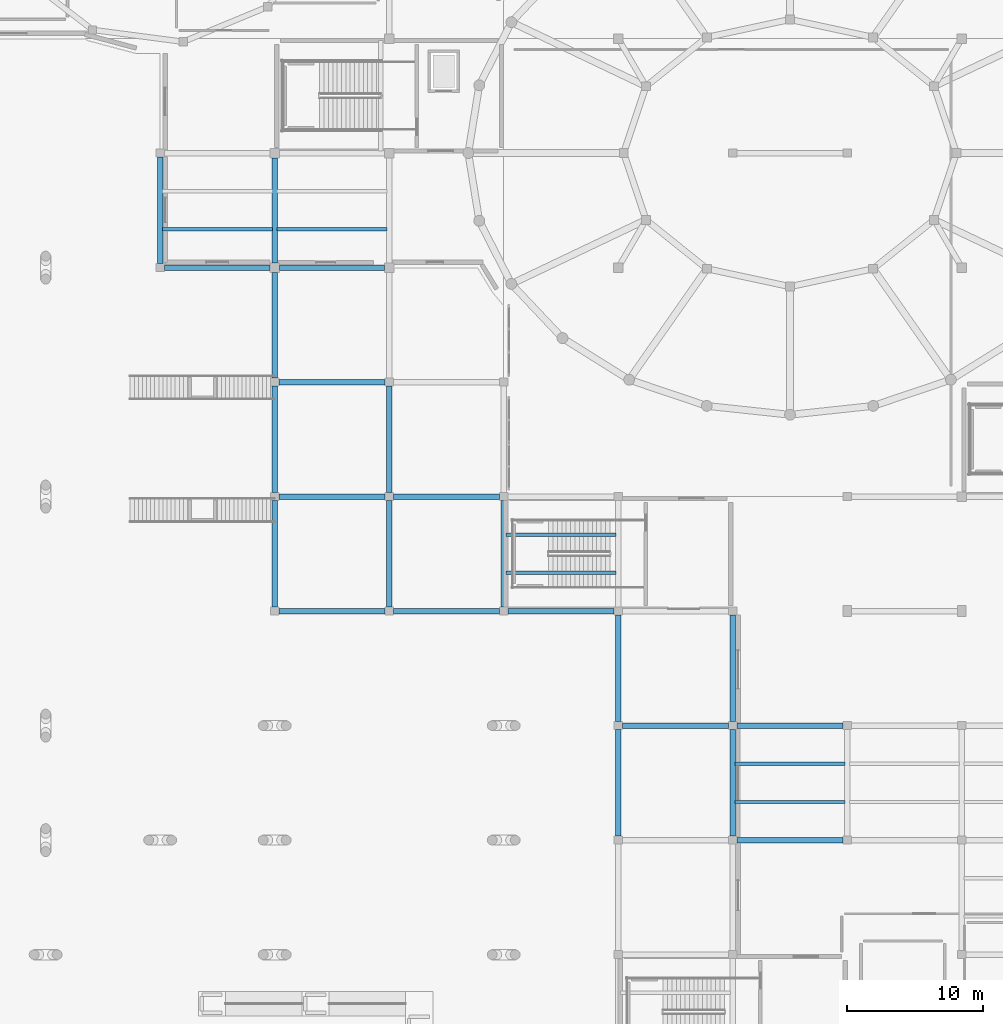
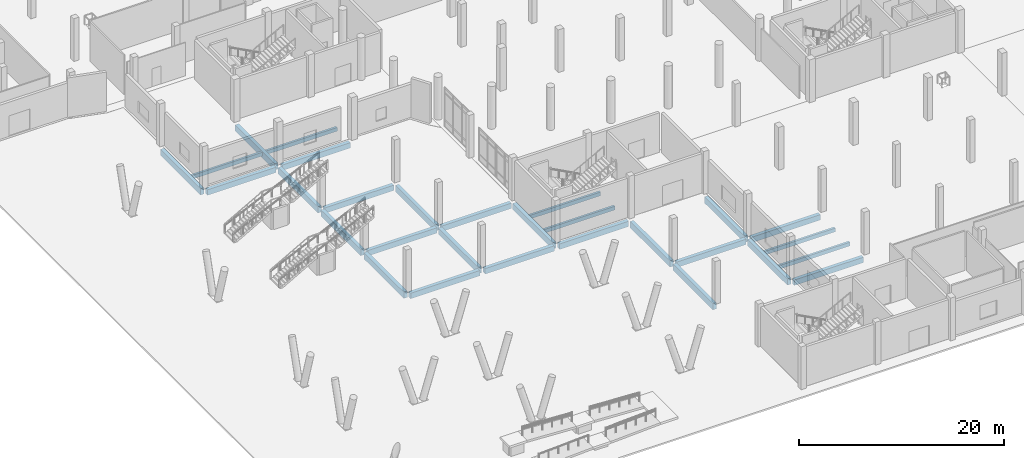
# One storey, part 2 of 64: 29 beams.
"""IFC4 building model written with IfcOpenShell, lengths in metres."""

import ifcopenshell
import ifcopenshell.guid

model = None  # the IFC model being written
_history = None  # IfcOwnerHistory: only IFC2X3 demands one
_inside = {}  # id of a spatial element -> (the spatial element, [elements in it])
_under = {}  # id of a project, library or spatial element -> (it, [spatial elements below it])
_declared = {}  # id of a project -> (the project, [libraries it declares])
_typed = {}  # id of a type object -> (the type object, [elements of that type])
_made_of = {}  # id of a material, layer set ... -> (it, [elements and type objects made of it])


def new_model(schema):
    """Start an empty IFC model of exactly this schema.

    Asked for "IFC4X3", IfcOpenShell would pick the latest addendum, in which some entities
    have other attributes; the version numbers below select the first issue.
    IFC2X3 requires an IfcOwnerHistory on every rooted entity: one is made here for all.
    """
    global model, _history
    if schema == "IFC4X3":
        model = ifcopenshell.file(schema_version=(4, 3, 0, 0))
    else:
        model = ifcopenshell.file(schema=schema)
    _inside.clear()
    _under.clear()
    _declared.clear()
    _typed.clear()
    _made_of.clear()
    _history = None
    if model.schema == "IFC2X3":
        org = make("IfcOrganization", Name="unknown")
        user = make(
            "IfcPersonAndOrganization",
            ThePerson=make("IfcPerson", FamilyName="unknown"),
            TheOrganization=org,
        )
        app = make(
            "IfcApplication",
            ApplicationDeveloper=org,
            Version="unknown",
            ApplicationFullName="unknown",
            ApplicationIdentifier="unknown",
        )
        _history = make(
            "IfcOwnerHistory",
            OwningUser=user,
            OwningApplication=app,
            ChangeAction="ADDED",
            CreationDate=0,
        )
    return model


def make(cls, **values):
    """One entity of the class cls with the attributes given. An attribute that is None is left unset."""
    return model.create_entity(
        cls, **{name: value for name, value in values.items() if value is not None}
    )


def rooted(cls, **values):
    """An entity with a GlobalId (a new one), such as an element, a storey or a relation."""
    return make(cls, GlobalId=ifcopenshell.guid.new(), OwnerHistory=_history, **values)


def si_unit(unit_type, name, prefix=None):
    """IfcSIUnit, for example si_unit("LENGTHUNIT", "METRE", prefix="MILLI")."""
    return make("IfcSIUnit", UnitType=unit_type, Prefix=prefix, Name=name)


def derived_unit(unit_type, elements):
    """IfcDerivedUnit: a product of units, each with its exponent."""
    return make(
        "IfcDerivedUnit",
        Elements=[
            make("IfcDerivedUnitElement", Unit=unit, Exponent=power)
            for unit, power in elements
        ],
        UnitType=unit_type,
    )


def assignment(units):
    """IfcUnitAssignment: the units of a project."""
    return None if units is None else make("IfcUnitAssignment", Units=units)


def point(xyz):
    """IfcCartesianPoint."""
    return None if xyz is None else make("IfcCartesianPoint", Coordinates=xyz)


def direction(xyz):
    """IfcDirection."""
    return None if xyz is None else make("IfcDirection", DirectionRatios=xyz)


def frame(location, z_axis=None, x_axis=None):
    """IfcAxis2Placement3D, a coordinate frame: its origin and axes. An axis left out is left unset."""
    return make(
        "IfcAxis2Placement3D",
        Location=point(location),
        Axis=direction(z_axis),
        RefDirection=direction(x_axis),
    )


def frame_2d(location, x_axis=None):
    """IfcAxis2Placement2D, a coordinate frame in the plane: its origin and x axis."""
    return make(
        "IfcAxis2Placement2D", Location=point(location), RefDirection=direction(x_axis)
    )


def origin():
    """The frame at (0, 0, 0) with its axes left unset."""
    return frame((0.0, 0.0, 0.0))


def origin_2d():
    """The frame at (0, 0) in the plane with its x axis left unset."""
    return frame_2d((0.0, 0.0))


def place(relative_to, where):
    """IfcLocalPlacement: puts the frame where relative to a parent placement (None: the world)."""
    return make(
        "IfcLocalPlacement", PlacementRelTo=relative_to, RelativePlacement=where
    )


def context(
    kind, dimensions, precision=None, world=None, true_north=None, identifier=None
):
    """IfcGeometricRepresentationContext, for example the 3D "Model" context."""
    return make(
        "IfcGeometricRepresentationContext",
        ContextIdentifier=identifier,
        ContextType=kind,
        CoordinateSpaceDimension=dimensions,
        Precision=precision,
        WorldCoordinateSystem=world,
        TrueNorth=true_north,
    )


def subcontext(parent, identifier, kind, view, scale=None):
    """IfcGeometricRepresentationSubContext, for example "Body" below "Model"."""
    return make(
        "IfcGeometricRepresentationSubContext",
        ContextIdentifier=identifier,
        ContextType=kind,
        ParentContext=parent,
        TargetScale=scale,
        TargetView=view,
    )


def project(units=None, contexts=None):
    """IfcProject with its units and contexts."""
    return rooted(
        "IfcProject",
        Name="project",
        RepresentationContexts=contexts,
        UnitsInContext=assignment(units),
    )


def spatial(cls, under=None, at=None, **own):
    """A site, building, storey or space (cls), placed at a placement, below another one or the project."""
    s = rooted(cls, ObjectPlacement=at, **own)
    if under is not None:
        _under.setdefault(under.id(), (under, []))[1].append(s)
    return s


def profile(cls, at=None, kind="AREA", **sizes):
    """A parametric profile (cls). Its sizes go by their IFC names, for example OverallWidth=200.0."""
    return make(cls, ProfileType=kind, Position=at, **sizes)


def rectangle(**sizes):
    """IfcRectangleProfileDef."""
    return profile("IfcRectangleProfileDef", **sizes)


def extrude(swept, where, along, depth):
    """IfcExtrudedAreaSolid: the profile swept, set in the frame where, extruded along a direction by depth."""
    return make(
        "IfcExtrudedAreaSolid",
        SweptArea=swept,
        Position=where,
        ExtrudedDirection=direction(along),
        Depth=depth,
    )


def shape(context_of_items, identifier, shape_type, items):
    """IfcShapeRepresentation: the items that make up one representation, for example the "Body"."""
    return make(
        "IfcShapeRepresentation",
        ContextOfItems=context_of_items,
        RepresentationIdentifier=identifier,
        RepresentationType=shape_type,
        Items=items,
    )


def material(Name=None, Category=None):
    """IfcMaterial."""
    return make("IfcMaterial", Name=Name, Category=Category)


def material_profile(
    of_material, cross_section, Name=None, Category=None, Priority=None
):
    """IfcMaterialProfile: a cross section and its material."""
    return make(
        "IfcMaterialProfile",
        Name=Name,
        Material=of_material,
        Profile=cross_section,
        Priority=Priority,
        Category=Category,
    )


def profile_set(profiles, Name=None, composite=None):
    """IfcMaterialProfileSet."""
    return make(
        "IfcMaterialProfileSet",
        Name=Name,
        MaterialProfiles=profiles,
        CompositeProfile=composite,
    )


def made_of(thing, what):
    """Note that an element or type object is made of a material, layer set ...; save() writes the relation."""
    if what is not None:
        _made_of.setdefault(what.id(), (what, []))[1].append(thing)
    return thing


def type_object(cls, material=None, **own):
    """A type object (cls), such as IfcWallType, which elements share."""
    return made_of(rooted(cls, **own), material)


def element(
    cls,
    number,
    at=None,
    inside=None,
    cuts=None,
    type_object=None,
    material=None,
    context=None,
    identifier="Body",
    shape_type=None,
    held_by="IfcProductDefinitionShape",
    body=None,
    shapes=None,
    **own,
):
    """One element of the class cls, such as IfcWall. Its Tag is "e" and its number.

    at: its placement. inside: the storey or other place that contains it. cuts: it is an
    opening in that element (IfcRelVoidsElement). A single representation is given by context,
    identifier, shape_type and body (its items); several are given by shapes. held_by: the class
    of the entity that holds the representations. save() writes the other relations.
    """
    e = rooted(cls, Tag="e%d" % number, ObjectPlacement=at, **own)
    if body is not None:
        shapes = [shape(context, identifier, shape_type, body)]
    if shapes is not None:
        e.Representation = make(held_by, Representations=shapes)
    if inside is not None:
        _inside.setdefault(inside.id(), (inside, []))[1].append(e)
    if cuts is not None:
        rooted(
            "IfcRelVoidsElement", RelatingBuildingElement=cuts, RelatedOpeningElement=e
        )
    if type_object is not None:
        _typed.setdefault(type_object.id(), (type_object, []))[1].append(e)
    return made_of(e, material)


def aggregate(whole, parts):
    """IfcRelAggregates: a whole, such as a stair, and the parts it consists of."""
    return rooted("IfcRelAggregates", RelatingObject=whole, RelatedObjects=parts)


def save(model, path):
    """Write the relations noted so far, then the file.

    IfcRelAggregates (storeys below a building ...), IfcRelContainedInSpatialStructure (elements
    in a storey), IfcRelDefinesByType, IfcRelAssociatesMaterial and IfcRelDeclares: one each for
    every whole, place, type object, material and project.
    """
    for whole, parts in _under.values():
        aggregate(whole, parts)
    for where, things in _inside.values():
        rooted(
            "IfcRelContainedInSpatialStructure",
            RelatedElements=things,
            RelatingStructure=where,
        )
    for kind, things in _typed.values():
        rooted("IfcRelDefinesByType", RelatedObjects=things, RelatingType=kind)
    for what, things in _made_of.values():
        rooted("IfcRelAssociatesMaterial", RelatedObjects=things, RelatingMaterial=what)
    for by, libraries in _declared.values():
        rooted("IfcRelDeclares", RelatingContext=by, RelatedDefinitions=libraries)
    model.write(path)


model = new_model("IFC4")

# Units and contexts
model_context = context("Model", 3, precision=1e-05, world=origin(), true_north=direction((0.0, 1.0)))
body_context = subcontext(model_context, "Body", "Model", "MODEL_VIEW")
ifc_project = project(units=[si_unit("LENGTHUNIT", "METRE"), si_unit("AREAUNIT", "SQUARE_METRE"), si_unit("VOLUMEUNIT", "CUBIC_METRE"), si_unit("PLANEANGLEUNIT", "RADIAN"), si_unit("MASSUNIT", "GRAM", prefix="KILO"), derived_unit("THERMALTRANSMITTANCEUNIT", [(si_unit("POWERUNIT", "WATT"), 1), (si_unit("LENGTHUNIT", "METRE"), -2), (si_unit("THERMODYNAMICTEMPERATUREUNIT", "KELVIN"), -1)])], contexts=[model_context])

# Site, building, storey
site_placement = place(None, origin())
site = spatial("IfcSite", under=ifc_project, at=site_placement, CompositionType="ELEMENT")
building_placement = place(site_placement, origin())
building = spatial("IfcBuilding", under=site, at=building_placement, Name="Elbkamm Science Centre", CompositionType="ELEMENT")
storey_placement = place(building_placement, origin())
storey = spatial("IfcBuildingStorey", under=building, at=storey_placement, Name="L00", CompositionType="ELEMENT", Elevation=0.0)

# Beams
ifc_material = material(Name="Concrete C40/50", Category="concrete")
ifc_material_profile_1 = material_profile(ifc_material, rectangle(XDim=0.39990234375, YDim=0.64990234375, at=origin_2d()), Name="RC 400x650")
ifc_profile_set_1 = profile_set([ifc_material_profile_1], Name="Concrete C40/50")
beam_type_1 = type_object("IfcBeamType", Name="BM-RC-400x650", PredefinedType="BEAM", material=ifc_profile_set_1)
beam_1_placement = place(storey_placement, frame((59.10009765625, 16.800048828125, -0.625), z_axis=(1.0, 0.0, 0.0), x_axis=(0.0, 1.0, 0.0)))
element("IfcBeam", 1, at=beam_1_placement, inside=storey, type_object=beam_type_1, Name="L00 Primary X-Girder 009", PredefinedType="BEAM", context=body_context, shape_type="SweptSolid", body=[
    extrude(rectangle(XDim=0.39990234375, YDim=0.64990234375, at=origin_2d()), origin(), (0.0, 0.0, 1.0), 7.7998046875),
])
beam_2_placement = place(storey_placement, frame((50.699951171875, 25.199951171875, -0.625), z_axis=(1.0, 0.0, 0.0), x_axis=(0.0, 1.0, 0.0)))
element("IfcBeam", 2, at=beam_2_placement, inside=storey, type_object=beam_type_1, Name="L00 Primary X-Girder 016", PredefinedType="BEAM", context=body_context, shape_type="SweptSolid", body=[
    extrude(rectangle(XDim=0.39990234375, YDim=0.64990234375, at=origin_2d()), origin(), (0.0, 0.0, 1.0), 7.800048828125),
])
beam_3_placement = place(storey_placement, frame((59.10009765625, 25.199951171875, -0.625), z_axis=(1.0, 0.0, 0.0), x_axis=(0.0, 1.0, 0.0)))
element("IfcBeam", 3, at=beam_3_placement, inside=storey, type_object=beam_type_1, Name="L00 Primary X-Girder 017", PredefinedType="BEAM", context=body_context, shape_type="SweptSolid", body=[
    extrude(rectangle(XDim=0.39990234375, YDim=0.64990234375, at=origin_2d()), origin(), (0.0, 0.0, 1.0), 7.7998046875),
])
for number, where, z_axis, x_axis, name in (
    (4, (25.5, 33.60009765625, -0.625), (1.0, 0.0, 0.0), (0.0, 1.0, 0.0), "L00 Primary X-Girder 029"),
    (5, (33.89990234375, 33.60009765625, -0.625), (1.0, 0.0, 0.0), (0.0, 1.0, 0.0), "L00 Primary X-Girder 030"),
    (6, (42.300048828125, 33.60009765625, -0.625), (1.0, 0.0, 0.0), (0.0, 1.0, 0.0), "L00 Primary X-Girder 031"),
    (7, (25.5, 42.0, -0.625), (1.0, 0.0, 0.0), (0.0, 1.0, 0.0), "L00 Primary X-Girder 035"),
    (8, (33.89990234375, 42.0, -0.625), (1.0, 0.0, 0.0), (0.0, 1.0, 0.0), "L00 Primary X-Girder 036"),
    (9, (25.5, 50.39990234375, -0.625), (1.0, 0.0, 0.0), (0.0, 1.0, 0.0), "L00 Primary X-Girder 049"),
):
    element("IfcBeam", number, at=place(storey_placement, frame(where, z_axis=z_axis, x_axis=x_axis)), inside=storey, type_object=beam_type_1, Name=name, PredefinedType="BEAM", context=body_context, shape_type="SweptSolid", body=[
        extrude(rectangle(XDim=0.39990234375, YDim=0.64990234375, at=origin_2d()), origin(), (0.0, 0.0, 1.0), 7.800048828125),
    ])
beam_4_placement = place(storey_placement, frame((17.10009765625, 58.800048828125, -0.625), z_axis=(1.0, 0.0, 0.0), x_axis=(0.0, 1.0, 0.0)))
element("IfcBeam", 10, at=beam_4_placement, inside=storey, type_object=beam_type_1, Name="L00 Primary X-Girder 058", PredefinedType="BEAM", context=body_context, shape_type="SweptSolid", body=[
    extrude(rectangle(XDim=0.39990234375, YDim=0.64990234375, at=origin_2d()), origin(), (0.0, 0.0, 1.0), 7.75),
])
beam_5_placement = place(storey_placement, frame((25.550048828125, 58.800048828125, -0.625), z_axis=(1.0, 0.0, 0.0), x_axis=(0.0, 1.0, 0.0)))
element("IfcBeam", 11, at=beam_5_placement, inside=storey, type_object=beam_type_1, Name="L00 Primary X-Girder 059", PredefinedType="BEAM", context=body_context, shape_type="SweptSolid", body=[
    extrude(rectangle(XDim=0.39990234375, YDim=0.64990234375, at=origin_2d()), origin(), (0.0, 0.0, 1.0), 7.699951171875),
])
ifc_material_profile_2 = material_profile(ifc_material, rectangle(XDim=0.39990234375, YDim=0.75, at=origin_2d()), Name="RC 400x750")
ifc_profile_set_2 = profile_set([ifc_material_profile_2], Name="Concrete C40/50")
beam_type_2 = type_object("IfcBeamType", Name="BM-RC-400x750", PredefinedType="BEAM", material=ifc_profile_set_2)
beam_6_placement = place(storey_placement, frame((16.800048828125, 59.10009765625, -0.675048828125), z_axis=(0.0, 1.0, 0.0), x_axis=(-1.0, 0.0, 0.0)))
element("IfcBeam", 12, at=beam_6_placement, inside=storey, type_object=beam_type_2, Name="L00 Primary Y-Girder 004", PredefinedType="BEAM", context=body_context, shape_type="SweptSolid", body=[
    extrude(rectangle(XDim=0.39990234375, YDim=0.75, at=origin_2d()), origin(), (0.0, 0.0, 1.0), 7.7998046875),
])
for number, where, z_axis, x_axis, name in (
    (13, (25.199951171875, 33.89990234375, -0.675048828125), (0.0, 1.0, 0.0), (-1.0, 0.0, 0.0), "L00 Primary Y-Girder 006"),
    (14, (25.199951171875, 42.300048828125, -0.675048828125), (0.0, 1.0, 0.0), (-1.0, 0.0, 0.0), "L00 Primary Y-Girder 007"),
):
    element("IfcBeam", number, at=place(storey_placement, frame(where, z_axis=z_axis, x_axis=x_axis)), inside=storey, type_object=beam_type_2, Name=name, PredefinedType="BEAM", context=body_context, shape_type="SweptSolid", body=[
        extrude(rectangle(XDim=0.39990234375, YDim=0.75, at=origin_2d()), origin(), (0.0, 0.0, 1.0), 7.800048828125),
    ])
beam_7_placement = place(storey_placement, frame((25.199951171875, 50.699951171875, -0.675048828125), z_axis=(0.0, 1.0, 0.0), x_axis=(-1.0, 0.0, 0.0)))
element("IfcBeam", 15, at=beam_7_placement, inside=storey, type_object=beam_type_2, Name="L00 Primary Y-Girder 008", PredefinedType="BEAM", context=body_context, shape_type="SweptSolid", body=[
    extrude(rectangle(XDim=0.39990234375, YDim=0.75, at=origin_2d()), origin(), (0.0, 0.0, 1.0), 7.75),
])
beam_8_placement = place(storey_placement, frame((25.199951171875, 59.14990234375, -0.675048828125), z_axis=(0.0, 1.0, 0.0), x_axis=(-1.0, 0.0, 0.0)))
element("IfcBeam", 16, at=beam_8_placement, inside=storey, type_object=beam_type_2, Name="L00 Primary Y-Girder 009", PredefinedType="BEAM", context=body_context, shape_type="SweptSolid", body=[
    extrude(rectangle(XDim=0.39990234375, YDim=0.75, at=origin_2d()), origin(), (0.0, 0.0, 1.0), 7.7001953125),
])
for number, where, z_axis, x_axis, name in (
    (17, (33.60009765625, 33.89990234375, -0.675048828125), (0.0, 1.0, 0.0), (-1.0, 0.0, 0.0), "L00 Primary Y-Girder 010"),
    (18, (33.60009765625, 42.300048828125, -0.675048828125), (0.0, 1.0, 0.0), (-1.0, 0.0, 0.0), "L00 Primary Y-Girder 011"),
    (19, (42.0, 33.89990234375, -0.675048828125), (0.0, 1.0, 0.0), (-1.0, 0.0, 0.0), "L00 Primary Y-Girder 015"),
):
    element("IfcBeam", number, at=place(storey_placement, frame(where, z_axis=z_axis, x_axis=x_axis)), inside=storey, type_object=beam_type_2, Name=name, PredefinedType="BEAM", context=body_context, shape_type="SweptSolid", body=[
        extrude(rectangle(XDim=0.39990234375, YDim=0.75, at=origin_2d()), origin(), (0.0, 0.0, 1.0), 7.800048828125),
    ])
beam_9_placement = place(storey_placement, frame((50.39990234375, 17.10009765625, -0.675048828125), z_axis=(0.0, 1.0, 0.0), x_axis=(-1.0, 0.0, 0.0)))
element("IfcBeam", 20, at=beam_9_placement, inside=storey, type_object=beam_type_2, Name="L00 Primary Y-Girder 019", PredefinedType="BEAM", context=body_context, shape_type="SweptSolid", body=[
    extrude(rectangle(XDim=0.39990234375, YDim=0.75, at=origin_2d()), origin(), (0.0, 0.0, 1.0), 7.7998046875),
])
beam_10_placement = place(storey_placement, frame((50.39990234375, 25.5, -0.675048828125), z_axis=(0.0, 1.0, 0.0), x_axis=(-1.0, 0.0, 0.0)))
element("IfcBeam", 21, at=beam_10_placement, inside=storey, type_object=beam_type_2, Name="L00 Primary Y-Girder 020", PredefinedType="BEAM", context=body_context, shape_type="SweptSolid", body=[
    extrude(rectangle(XDim=0.39990234375, YDim=0.75, at=origin_2d()), origin(), (0.0, 0.0, 1.0), 7.800048828125),
])
beam_11_placement = place(storey_placement, frame((58.800048828125, 17.10009765625, -0.675048828125), z_axis=(0.0, 1.0, 0.0), x_axis=(-1.0, 0.0, 0.0)))
element("IfcBeam", 22, at=beam_11_placement, inside=storey, type_object=beam_type_2, Name="L00 Primary Y-Girder 024", PredefinedType="BEAM", context=body_context, shape_type="SweptSolid", body=[
    extrude(rectangle(XDim=0.39990234375, YDim=0.75, at=origin_2d()), origin(), (0.0, 0.0, 1.0), 7.7998046875),
])
beam_12_placement = place(storey_placement, frame((58.800048828125, 25.5, -0.675048828125), z_axis=(0.0, 1.0, 0.0), x_axis=(-1.0, 0.0, 0.0)))
element("IfcBeam", 23, at=beam_12_placement, inside=storey, type_object=beam_type_2, Name="L00 Primary Y-Girder 025", PredefinedType="BEAM", context=body_context, shape_type="SweptSolid", body=[
    extrude(rectangle(XDim=0.39990234375, YDim=0.75, at=origin_2d()), origin(), (0.0, 0.0, 1.0), 7.800048828125),
])
ifc_material_profile_3 = material_profile(ifc_material, rectangle(XDim=0.25, YDim=0.449951171875, at=origin_2d()), Name="RC 250x450")
ifc_profile_set_3 = profile_set([ifc_material_profile_3], Name="Concrete C40/50")
beam_type_3 = type_object("IfcBeamType", Name="JST-RC-250x450", PredefinedType="JOIST", material=ifc_profile_set_3)
for number, where, z_axis, x_axis, name in (
    (24, (16.97998046875, 61.60009765625, -0.52490234375), (1.0, 0.0, 0.0), (0.0, 1.0, 0.0), "L00 Secondary Floor Joist 001"),
    (25, (25.3798828125, 61.60009765625, -0.52490234375), (1.0, 0.0, 0.0), (0.0, 1.0, 0.0), "L00 Secondary Floor Joist 003"),
    (26, (42.179931640625, 36.39990234375, -0.52490234375), (1.0, 0.0, 0.0), (0.0, 1.0, 0.0), "L00 Secondary Floor Joist 005"),
    (27, (42.179931640625, 39.199951171875, -0.52490234375), (1.0, 0.0, 0.0), (0.0, 1.0, 0.0), "L00 Secondary Floor Joist 006"),
    (28, (58.97998046875, 19.60009765625, -0.52490234375), (1.0, 0.0, 0.0), (0.0, 1.0, 0.0), "L00 Secondary Floor Joist 009"),
    (29, (58.97998046875, 22.39990234375, -0.52490234375), (1.0, 0.0, 0.0), (0.0, 1.0, 0.0), "L00 Secondary Floor Joist 010"),
):
    element("IfcBeam", number, at=place(storey_placement, frame(where, z_axis=z_axis, x_axis=x_axis)), inside=storey, type_object=beam_type_3, Name=name, PredefinedType="JOIST", context=body_context, shape_type="SweptSolid", body=[
        extrude(rectangle(XDim=0.25, YDim=0.449951171875, at=origin_2d()), origin(), (0.0, 0.0, 1.0), 8.0400390625),
    ])

save(model, "model.ifc")
